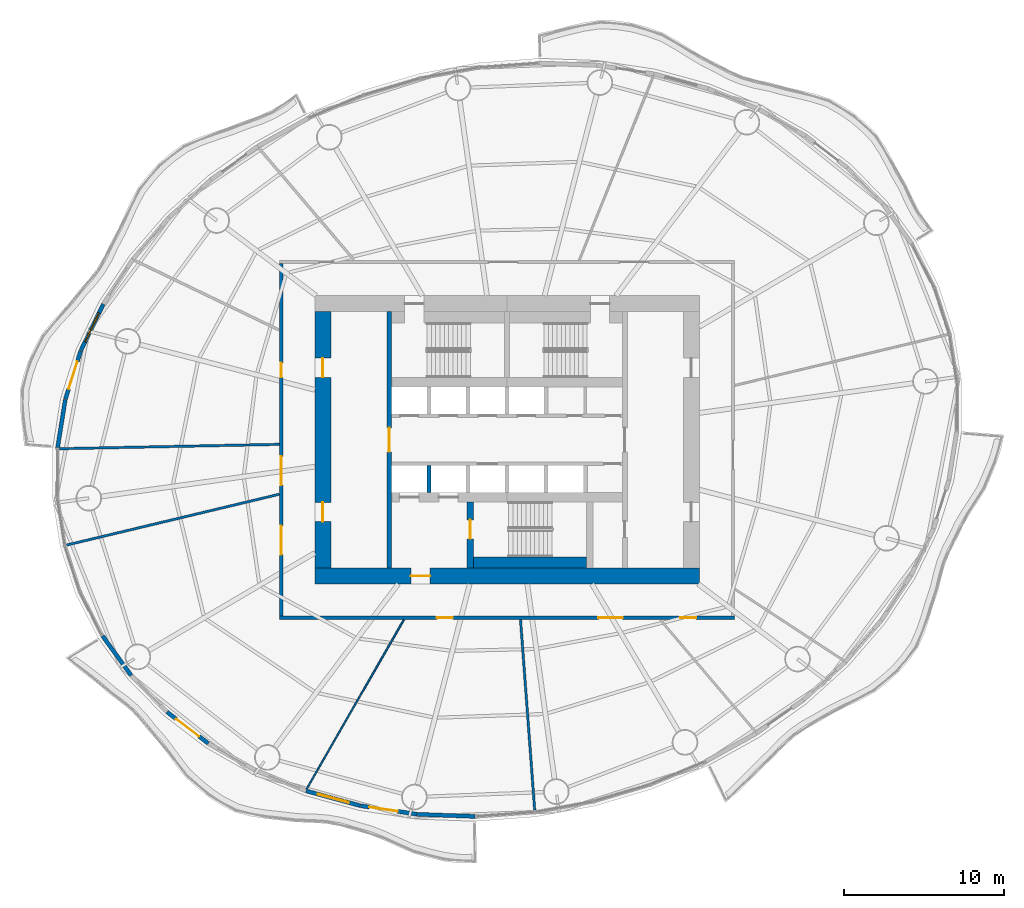
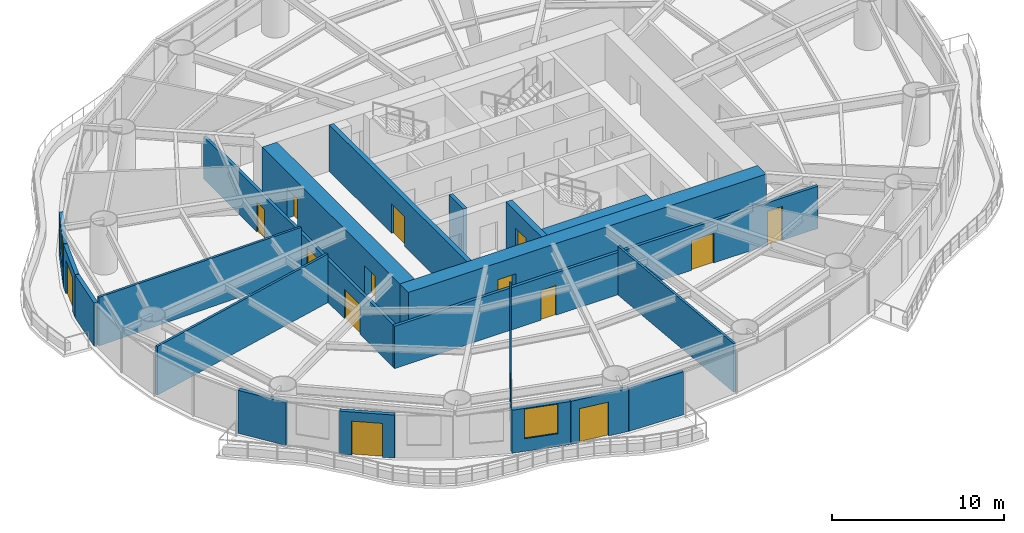
# One storey, part 8 of 16: 20 walls, 14 doors, 2 windows, 16 openings.
"""IFC4 building model written with IfcOpenShell, lengths in metres."""

from ifc_helpers import new_model, si_unit, direction, frame, frame_2d, origin, place, context, subcontext, project, spatial, rectangle, extrude, material, layer, layer_set, type_object, element, fill, save


model = new_model("IFC4")

# Units and contexts
model_context = context("Model", 3, precision=1e-05, world=origin(), true_north=direction((0.0, 1.0)))
body_context = subcontext(model_context, "Body", "Model", "MODEL_VIEW")
ifc_project = project(units=[si_unit("LENGTHUNIT", "METRE"), si_unit("AREAUNIT", "SQUARE_METRE"), si_unit("VOLUMEUNIT", "CUBIC_METRE"), si_unit("PLANEANGLEUNIT", "RADIAN"), si_unit("MASSUNIT", "GRAM", prefix="KILO")], contexts=[model_context])

# Site, building, storey
site_placement = place(None, origin())
site = spatial("IfcSite", under=ifc_project, at=site_placement, CompositionType="ELEMENT")
building_placement = place(site_placement, origin())
building = spatial("IfcBuilding", under=site, at=building_placement, Name="Vermilion Reach Broadcast Tower", CompositionType="ELEMENT")
storey_placement = place(building_placement, frame((0.0, 0.0, 88.60009765625)))
storey = spatial("IfcBuildingStorey", under=building, at=storey_placement, Name="L19", CompositionType="ELEMENT", Elevation=88.60009765625)

# Wall, opening, door
ifc_material_1 = material(Name="Concrete C70", Category="concrete")
ifc_layer_1 = layer(ifc_material_1, 0.300048828125)
ifc_layer_set_1 = layer_set([ifc_layer_1], Name="Core inner wall 300 mm Concrete C70")
wall_type_1 = type_object("IfcWallType", Name="Core inner wall 300 mm Concrete C70", PredefinedType="SHEAR", material=ifc_layer_set_1)
wall_1_placement = place(storey_placement, frame((-13.35009765625, 8.0, 0.0), z_axis=(0.0, 0.0, 1.0), x_axis=(0.0, -1.0, 0.0)))
wall_1 = element("IfcWall", 1, at=wall_1_placement, inside=storey, type_object=wall_type_1, Name="L19 core wall ewW", PredefinedType="SHEAR", context=body_context, shape_type="SweptSolid", body=[
    extrude(rectangle(XDim=16.0, YDim=0.300048828125, at=frame_2d((8.0, 0.0))), origin(), (0.0, 0.0, 1.0), 3.2998046875),
])
opening_1_placement = place(wall_1_placement, frame((7.25, 0.0, 0.0)))
opening_1 = element("IfcOpeningElement", 2, at=opening_1_placement, cuts=wall_1, Name="Opening D04", PredefinedType="OPENING", context=body_context, shape_type="SweptSolid", body=[
    extrude(rectangle(XDim=1.5, YDim=2.10009765625, at=frame_2d((0.75, 1.050048828125))), frame((0.0, 0.159912109375, 0.0), z_axis=(0.0, -1.0, 0.0), x_axis=(1.0, 0.0, 0.0)), (0.0, 0.0, 1.0), 0.320068359375),
])
ifc_material_2 = material(Name="Painted steel fire door", Category="steel")
door_type_1 = type_object("IfcDoorType", Name="Lift lobby door 1500 x 2100", OperationType="DOUBLE_DOOR_SINGLE_SWING", PredefinedType="NOTDEFINED", material=ifc_material_2)
door_1_placement = place(opening_1_placement, origin())
door_1 = element("IfcDoor", 3, at=door_1_placement, inside=storey, type_object=door_type_1, Name="L19 band door BW", OperationType="DOUBLE_DOOR_SINGLE_SWING", OverallHeight=2.10009765625, OverallWidth=1.5, PredefinedType="NOTDEFINED", context=body_context, shape_type="SweptSolid", body=[
    extrude(rectangle(XDim=1.5, YDim=2.10009765625, at=frame_2d((0.75, 1.050048828125))), frame((0.0, 0.02490234375, 0.0), z_axis=(0.0, -1.0, 0.0), x_axis=(1.0, 0.0, 0.0)), (0.0, 0.0, 1.0), 0.050048828125),
])
fill(opening_1, door_1)

ifc_material_3 = material(Name="Concrete C70", Category="concrete")
ifc_layer_2 = layer(ifc_material_3, 0.39990234375)
ifc_layer_set_2 = layer_set([ifc_layer_2], Name="Core inner wall 400 mm Concrete C70")
wall_type_2 = type_object("IfcWallType", Name="Core inner wall 400 mm Concrete C70", PredefinedType="SHEAR", material=ifc_layer_set_2)
wall_2_placement = place(storey_placement, frame((-8.300048828125, -3.8798828125, 0.0), z_axis=(0.0, 0.0, 1.0), x_axis=(0.0, -1.0, 0.0)))
wall_2 = element("IfcWall", 4, at=wall_2_placement, inside=storey, type_object=wall_type_2, Name="L19 core wall wa", PredefinedType="SHEAR", context=body_context, shape_type="SweptSolid", body=[
    extrude(rectangle(XDim=4.1201171875, YDim=0.39990234375, at=frame_2d((2.06005859375, 0.0))), origin(), (0.0, 0.0, 1.0), 3.2998046875),
])
opening_2_placement = place(wall_2_placement, frame((1.110107421875, 0.0, 0.0)))
opening_2 = element("IfcOpeningElement", 5, at=opening_2_placement, cuts=wall_2, Name="Opening D01", PredefinedType="OPENING", context=body_context, shape_type="SweptSolid", body=[
    extrude(rectangle(XDim=1.199951171875, YDim=2.10009765625, at=frame_2d((0.60009765625, 1.050048828125))), frame((0.0, 0.2099609375, 0.0), z_axis=(0.0, -1.0, 0.0), x_axis=(1.0, 0.0, 0.0)), (0.0, 0.0, 1.0), 0.419921875),
])
ifc_material_4 = material(Name="Painted steel fire door", Category="steel")
door_type_2 = type_object("IfcDoorType", Name="Stair door 1200 x 2100", OperationType="DOUBLE_DOOR_SINGLE_SWING", PredefinedType="NOTDEFINED", material=ifc_material_4)
door_2_placement = place(opening_2_placement, origin())
door_2 = element("IfcDoor", 6, at=door_2_placement, inside=storey, type_object=door_type_2, Name="L19 stair door ST3", OperationType="DOUBLE_DOOR_SINGLE_SWING", OverallHeight=2.10009765625, OverallWidth=1.199951171875, PredefinedType="NOTDEFINED", context=body_context, shape_type="SweptSolid", body=[
    extrude(rectangle(XDim=1.199951171875, YDim=2.10009765625, at=frame_2d((0.60009765625, 1.050048828125))), frame((0.0, 0.02490234375, 0.0), z_axis=(0.0, -1.0, 0.0), x_axis=(1.0, 0.0, 0.0)), (0.0, 0.0, 1.0), 0.050048828125),
])
fill(opening_2, door_2)

ifc_material_5 = material(Name="Concrete C70", Category="concrete")
ifc_layer_3 = layer(ifc_material_5, 1.0)
ifc_layer_set_3 = layer_set([ifc_layer_3], Name="Core outer wall 1000 mm Concrete C70")
wall_type_3 = type_object("IfcWallType", Name="Core outer wall 1000 mm Concrete C70", PredefinedType="SHEAR", material=ifc_layer_set_3)
wall_3_placement = place(storey_placement, frame((-18.0, -8.5, 0.0), z_axis=(0.0, 0.0, 1.0), x_axis=(1.0, 0.0, 0.0)))
wall_3 = element("IfcWall", 7, at=wall_3_placement, inside=storey, type_object=wall_type_3, Name="L19 core wall os", PredefinedType="SHEAR", context=body_context, shape_type="SweptSolid", body=[
    extrude(rectangle(XDim=24.0, YDim=1.0, at=frame_2d((12.0, 0.0))), origin(), (0.0, 0.0, 1.0), 3.2998046875),
])
opening_3_placement = place(wall_3_placement, frame((6.0, 0.0, 0.0)))
opening_3 = element("IfcOpeningElement", 8, at=opening_3_placement, cuts=wall_3, Name="Opening D02", PredefinedType="OPENING", context=body_context, shape_type="SweptSolid", body=[
    extrude(rectangle(XDim=1.199951171875, YDim=2.10009765625, at=frame_2d((0.60009765625, 1.050048828125))), frame((0.0, 0.510009765625, 0.0), z_axis=(0.0, -1.0, 0.0), x_axis=(1.0, 0.0, 0.0)), (0.0, 0.0, 1.0), 1.02001953125),
])
ifc_material_6 = material(Name="Painted steel fire door", Category="steel")
door_type_3 = type_object("IfcDoorType", Name="Firefighting lobby door 1200 x 2100", OperationType="DOUBLE_DOOR_SINGLE_SWING", PredefinedType="NOTDEFINED", material=ifc_material_6)
door_3_placement = place(opening_3_placement, origin())
door_3 = element("IfcDoor", 9, at=door_3_placement, inside=storey, type_object=door_type_3, Name="L19 ffdoor door FFL", OperationType="DOUBLE_DOOR_SINGLE_SWING", OverallHeight=2.10009765625, OverallWidth=1.199951171875, PredefinedType="NOTDEFINED", context=body_context, shape_type="SweptSolid", body=[
    extrude(rectangle(XDim=1.199951171875, YDim=2.10009765625, at=frame_2d((0.60009765625, 1.050048828125))), frame((0.0, 0.02490234375, 0.0), z_axis=(0.0, -1.0, 0.0), x_axis=(1.0, 0.0, 0.0)), (0.0, 0.0, 1.0), 0.050048828125),
])
fill(opening_3, door_3)

# Wall, openings, doors
wall_4_placement = place(storey_placement, frame((-17.5, 8.0, 0.0), z_axis=(0.0, 0.0, 1.0), x_axis=(0.0, -1.0, 0.0)))
wall_4 = element("IfcWall", 10, at=wall_4_placement, inside=storey, type_object=wall_type_3, Name="L19 core wall ow", PredefinedType="SHEAR", context=body_context, shape_type="SweptSolid", body=[
    extrude(rectangle(XDim=16.0, YDim=1.0, at=frame_2d((8.0, 0.0))), origin(), (0.0, 0.0, 1.0), 3.2998046875),
])
opening_4_placement = place(wall_4_placement, frame((11.89990234375, 0.0, 0.0)))
opening_4 = element("IfcOpeningElement", 11, at=opening_4_placement, cuts=wall_4, Name="Opening D03", PredefinedType="OPENING", context=body_context, shape_type="SweptSolid", body=[
    extrude(rectangle(XDim=1.199951171875, YDim=2.10009765625, at=frame_2d((0.60009765625, 1.050048828125))), frame((0.0, 0.510009765625, 0.0), z_axis=(0.0, -1.0, 0.0), x_axis=(1.0, 0.0, 0.0)), (0.0, 0.0, 1.0), 1.02001953125),
])
opening_5_placement = place(wall_4_placement, frame((2.89990234375, 0.0, 0.0)))
opening_5 = element("IfcOpeningElement", 12, at=opening_5_placement, cuts=wall_4, Name="Opening D03", PredefinedType="OPENING", context=body_context, shape_type="SweptSolid", body=[
    extrude(rectangle(XDim=1.199951171875, YDim=2.10009765625, at=frame_2d((0.60009765625, 1.050048828125))), frame((0.0, 0.510009765625, 0.0), z_axis=(0.0, -1.0, 0.0), x_axis=(1.0, 0.0, 0.0)), (0.0, 0.0, 1.0), 1.02001953125),
])
ifc_material_7 = material(Name="Painted steel fire door", Category="steel")
door_type_4 = type_object("IfcDoorType", Name="Core lobby door 1200 x 2100", OperationType="DOUBLE_DOOR_SINGLE_SWING", PredefinedType="NOTDEFINED", material=ifc_material_7)
door_4_placement = place(opening_4_placement, origin())
door_4 = element("IfcDoor", 13, at=door_4_placement, inside=storey, type_object=door_type_4, Name="L19 slot door W0", OperationType="DOUBLE_DOOR_SINGLE_SWING", OverallHeight=2.10009765625, OverallWidth=1.199951171875, PredefinedType="NOTDEFINED", context=body_context, shape_type="SweptSolid", body=[
    extrude(rectangle(XDim=1.199951171875, YDim=2.10009765625, at=frame_2d((0.60009765625, 1.050048828125))), frame((0.0, 0.02490234375, 0.0), z_axis=(0.0, -1.0, 0.0), x_axis=(1.0, 0.0, 0.0)), (0.0, 0.0, 1.0), 0.050048828125),
])
fill(opening_4, door_4)
door_5_placement = place(opening_5_placement, origin())
door_5 = element("IfcDoor", 14, at=door_5_placement, inside=storey, type_object=door_type_4, Name="L19 slot door W1", OperationType="DOUBLE_DOOR_SINGLE_SWING", OverallHeight=2.10009765625, OverallWidth=1.199951171875, PredefinedType="NOTDEFINED", context=body_context, shape_type="SweptSolid", body=[
    extrude(rectangle(XDim=1.199951171875, YDim=2.10009765625, at=frame_2d((0.60009765625, 1.050048828125))), frame((0.0, 0.02490234375, 0.0), z_axis=(0.0, -1.0, 0.0), x_axis=(1.0, 0.0, 0.0)), (0.0, 0.0, 1.0), 0.050048828125),
])
fill(opening_5, door_5)

# Walls
ifc_material_8 = material(Name="Concrete C50", Category="concrete")
ifc_layer_4 = layer(ifc_material_8, 0.25)
ifc_layer_set_4 = layer_set([ifc_layer_4], Name="Core shaft wall 250 mm Concrete C50")
wall_type_4 = type_object("IfcWallType", Name="Core shaft wall 250 mm Concrete C50", PredefinedType="SHEAR", material=ifc_layer_set_4)
wall_5_placement = place(storey_placement, frame((-10.88330078125, -1.60009765625, 0.0), z_axis=(0.0, 0.0, 1.0), x_axis=(0.0, -1.0, 0.0)))
element("IfcWall", 15, at=wall_5_placement, inside=storey, type_object=wall_type_4, Name="L19 core wall psS0", PredefinedType="SHEAR", context=body_context, shape_type="SweptSolid", body=[
    extrude(rectangle(XDim=1.679931640625, YDim=0.25, at=frame_2d((0.83984375, 0.0))), origin(), (0.0, 0.0, 1.0), 3.2998046875),
])
ifc_material_9 = material(Name="Concrete C70", Category="concrete")
ifc_layer_5 = layer(ifc_material_9, 0.699951171875)
ifc_layer_set_5 = layer_set([ifc_layer_5], Name="Core stair wall 700 mm Concrete C70")
wall_type_5 = type_object("IfcWallType", Name="Core stair wall 700 mm Concrete C70", PredefinedType="SHEAR", material=ifc_layer_set_5)
wall_6_placement = place(storey_placement, frame((-8.10009765625, -7.64990234375, 0.0), z_axis=(0.0, 0.0, 1.0), x_axis=(1.0, 0.0, 0.0)))
element("IfcWall", 16, at=wall_6_placement, inside=storey, type_object=wall_type_5, Name="L19 core wall l3", PredefinedType="SHEAR", context=body_context, shape_type="SweptSolid", body=[
    extrude(rectangle(XDim=7.050048828125, YDim=0.699951171875, at=frame_2d((3.52490234375, 0.0))), origin(), (0.0, 0.0, 1.0), 3.2998046875),
])
ifc_material_10 = material(Name="Plasterboard on steel stud", Category="steel")
ifc_layer_6 = layer(ifc_material_10, 0.10009765625)
ifc_layer_set_6 = layer_set([ifc_layer_6], Name="Partition 100 steel stud")
wall_type_6 = type_object("IfcWallType", Name="Partition 100 steel stud", PredefinedType="PARTITIONING", material=ifc_layer_set_6)
wall_7_placement = place(storey_placement, frame((-18.51220703125, -21.7919921875, 0.0), z_axis=(0.0, 0.0, 1.0), x_axis=(0.497918029238, 0.867224098004, 0.0)))
element("IfcWall", 17, at=wall_7_placement, inside=storey, type_object=wall_type_6, Name="Partition 19.07", PredefinedType="PARTITIONING", context=body_context, shape_type="SweptSolid", body=[
    extrude(rectangle(XDim=12.18505859375, YDim=0.10009765625, at=frame_2d((6.092529296875, 0.0))), origin(), (0.0, 0.0, 1.0), 3.449951171875),
])
ifc_material_11 = material(Name="Lightweight concrete block, plastered", Category="concrete")
ifc_layer_7 = layer(ifc_material_11, 0.14990234375)
ifc_layer_set_7 = layer_set([ifc_layer_7], Name="Partition 150 lightweight block")
wall_type_7 = type_object("IfcWallType", Name="Partition 150 lightweight block", PredefinedType="PARTITIONING", material=ifc_layer_set_7)
wall_8_placement = place(storey_placement, frame((-33.936767578125, -0.557373046875, 0.0), z_axis=(0.0, 0.0, 1.0), x_axis=(0.999801195259, 0.019939156436, 0.0)))
element("IfcWall", 18, at=wall_8_placement, inside=storey, type_object=wall_type_7, Name="Partition 19.05", PredefinedType="PARTITIONING", context=body_context, shape_type="SweptSolid", body=[
    extrude(rectangle(XDim=13.738037109375, YDim=0.14990234375, at=frame_2d((6.869140625, 0.0))), origin(), (0.0, 0.0, 1.0), 3.449951171875),
])
wall_9_placement = place(storey_placement, frame((-33.483642578125, -6.56787109375, 0.0), z_axis=(0.0, 0.0, 1.0), x_axis=(0.972610744355, 0.232439970669, 0.0)))
element("IfcWall", 19, at=wall_9_placement, inside=storey, type_object=wall_type_7, Name="Partition 19.06", PredefinedType="PARTITIONING", context=body_context, shape_type="SweptSolid", body=[
    extrude(rectangle(XDim=13.6396484375, YDim=0.14990234375, at=frame_2d((6.81982421875, 0.0))), origin(), (0.0, 0.0, 1.0), 3.449951171875),
])
wall_10_placement = place(storey_placement, frame((-4.279052734375, -23.113037109375, 0.0), z_axis=(0.0, 0.0, 1.0), x_axis=(-0.074241475943, 0.997240293635, 0.0)))
element("IfcWall", 20, at=wall_10_placement, inside=storey, type_object=wall_type_7, Name="Partition 19.08", PredefinedType="PARTITIONING", context=body_context, shape_type="SweptSolid", body=[
    extrude(rectangle(XDim=11.9404296875, YDim=0.14990234375, at=frame_2d((5.97021484375, 0.0))), origin(), (0.0, 0.0, 1.0), 3.449951171875),
])

# Wall, opening, window
ifc_material_12 = material(Name="Terracotta rainscreen cladding", Category="masonry")
ifc_layer_8 = layer(ifc_material_12, 0.25)
ifc_layer_set_8 = layer_set([ifc_layer_8], Name="Terracotta rainscreen wall 250")
wall_type_8 = type_object("IfcWallType", Name="Terracotta rainscreen wall 250", PredefinedType="SOLIDWALL", material=ifc_layer_set_8)
wall_11_placement = place(storey_placement, frame((-31.20263671875, 8.467529296875, 0.0), z_axis=(0.0, 0.0, 1.0), x_axis=(-0.434506070547, -0.900668904014, 0.0)))
wall_11 = element("IfcWall", 21, at=wall_11_placement, inside=storey, type_object=wall_type_8, Name="External wall L19 19", PredefinedType="SOLIDWALL", context=body_context, shape_type="SweptSolid", body=[
    extrude(rectangle(XDim=3.2314453125, YDim=0.25, at=frame_2d((1.61572265625, 0.0))), origin(), (0.0, 0.0, 1.0), 3.0498046875),
])
opening_6_placement = place(wall_11_placement, frame((0.61572265625, 0.0, 0.89990234375)))
opening_6 = element("IfcOpeningElement", 22, at=opening_6_placement, cuts=wall_11, Name="Opening W03", PredefinedType="OPENING", context=body_context, shape_type="SweptSolid", body=[
    extrude(rectangle(XDim=2.0, YDim=2.10009765625, at=frame_2d((1.0, 1.050048828125))), frame((0.0, 0.135009765625, 0.0), z_axis=(0.0, -1.0, 0.0), x_axis=(1.0, 0.0, 0.0)), (0.0, 0.0, 1.0), 0.27001953125),
])
ifc_material_13 = material(Name="Low-e laminated clear glass in aluminium frame", Category="aluminium")
window_type = type_object("IfcWindowType", Name="Punched window 2000 x 2100 sill 900", PartitioningType="SINGLE_PANEL", PredefinedType="WINDOW", material=ifc_material_13)
window_1_placement = place(opening_6_placement, origin())
window_1 = element("IfcWindow", 23, at=window_1_placement, inside=storey, type_object=window_type, Name="Window L19 19", OverallHeight=2.10009765625, OverallWidth=2.0, PartitioningType="SINGLE_PANEL", PredefinedType="WINDOW", context=body_context, shape_type="SweptSolid", body=[
    extrude(rectangle(XDim=2.0, YDim=2.10009765625, at=frame_2d((1.0, 1.050048828125))), frame((0.0, 0.030029296875, 0.0), z_axis=(0.0, -1.0, 0.0), x_axis=(1.0, 0.0, 0.0)), (0.0, 0.0, 1.0), 0.06005859375),
])
fill(opening_6, window_1)

# Wall, opening, door
wall_12_placement = place(storey_placement, frame((-32.6162109375, 5.533203125, 0.0), z_axis=(0.0, 0.0, 1.0), x_axis=(-0.302352129866, -0.953196301695, 0.0)))
wall_12 = element("IfcWall", 24, at=wall_12_placement, inside=storey, type_object=wall_type_8, Name="External wall L19 20", PredefinedType="SOLIDWALL", context=body_context, shape_type="SweptSolid", body=[
    extrude(rectangle(XDim=3.1484375, YDim=0.25, at=frame_2d((1.57421875, 0.0))), origin(), (0.0, 0.0, 1.0), 3.0498046875),
])
opening_7_placement = place(wall_12_placement, frame((0.674072265625, 0.0, 0.0)))
opening_7 = element("IfcOpeningElement", 25, at=opening_7_placement, cuts=wall_12, Name="Opening D70", PredefinedType="OPENING", context=body_context, shape_type="SweptSolid", body=[
    extrude(rectangle(XDim=1.800048828125, YDim=2.39990234375, at=frame_2d((0.89990234375, 1.199951171875))), frame((0.0, 0.135009765625, 0.0), z_axis=(0.0, -1.0, 0.0), x_axis=(1.0, 0.0, 0.0)), (0.0, 0.0, 1.0), 0.27001953125),
])
ifc_material_14 = material(Name="Low-e laminated clear glass in aluminium frame", Category="aluminium")
door_type_5 = type_object("IfcDoorType", Name="Balcony sliding door 1800 x 2400", OperationType="DOUBLE_DOOR_SLIDING", PredefinedType="DOOR", material=ifc_material_14)
door_6_placement = place(opening_7_placement, origin())
door_6 = element("IfcDoor", 26, at=door_6_placement, inside=storey, type_object=door_type_5, Name="Balcony door L19 run 05", OperationType="DOUBLE_DOOR_SLIDING", OverallHeight=2.39990234375, OverallWidth=1.800048828125, PredefinedType="DOOR", context=body_context, shape_type="SweptSolid", body=[
    extrude(rectangle(XDim=1.800048828125, YDim=2.39990234375, at=frame_2d((0.89990234375, 1.199951171875))), frame((0.0, 0.02490234375, 0.0), z_axis=(0.0, -1.0, 0.0), x_axis=(1.0, 0.0, 0.0)), (0.0, 0.0, 1.0), 0.050048828125),
])
fill(opening_7, door_6)

# Walls
wall_13_placement = place(storey_placement, frame((-33.57421875, 2.506591796875, 0.0), z_axis=(0.0, 0.0, 1.0), x_axis=(-0.157539068882, -0.987512755247, 0.0)))
element("IfcWall", 27, at=wall_13_placement, inside=storey, type_object=wall_type_8, Name="External wall L19 21", PredefinedType="SOLIDWALL", context=body_context, shape_type="SweptSolid", body=[
    extrude(rectangle(XDim=3.037353515625, YDim=0.25, at=frame_2d((1.5185546875, 0.0))), origin(), (0.0, 0.0, 1.0), 3.0498046875),
])
wall_14_placement = place(storey_placement, frame((-31.24462890625, -12.24365234375, 0.0), z_axis=(0.0, 0.0, 1.0), x_axis=(0.586957033691, -0.809618083173, 0.0)))
element("IfcWall", 28, at=wall_14_placement, inside=storey, type_object=wall_type_8, Name="External wall L19 26", PredefinedType="SOLIDWALL", context=body_context, shape_type="SweptSolid", body=[
    extrude(rectangle(XDim=3.037109375, YDim=0.25, at=frame_2d((1.5185546875, 0.0))), origin(), (0.0, 0.0, 1.0), 3.0498046875),
])

# Wall, opening, door
wall_15_placement = place(storey_placement, frame((-27.219482421875, -16.986328125, 0.0), z_axis=(0.0, 0.0, 1.0), x_axis=(0.794820819691, -0.606844184768, 0.0)))
wall_15 = element("IfcWall", 29, at=wall_15_placement, inside=storey, type_object=wall_type_8, Name="External wall L19 28", PredefinedType="SOLIDWALL", context=body_context, shape_type="SweptSolid", body=[
    extrude(rectangle(XDim=3.2314453125, YDim=0.25, at=frame_2d((1.61572265625, 0.0))), origin(), (0.0, 0.0, 1.0), 3.0498046875),
])
opening_8_placement = place(wall_15_placement, frame((0.716064453125, 0.0, 0.0)))
opening_8 = element("IfcOpeningElement", 30, at=opening_8_placement, cuts=wall_15, Name="Opening D70", PredefinedType="OPENING", context=body_context, shape_type="SweptSolid", body=[
    extrude(rectangle(XDim=1.800048828125, YDim=2.39990234375, at=frame_2d((0.89990234375, 1.199951171875))), frame((0.0, 0.135009765625, 0.0), z_axis=(0.0, -1.0, 0.0), x_axis=(1.0, 0.0, 0.0)), (0.0, 0.0, 1.0), 0.27001953125),
])
door_7_placement = place(opening_8_placement, origin())
door_7 = element("IfcDoor", 31, at=door_7_placement, inside=storey, type_object=door_type_5, Name="Balcony door L19 run 07", OperationType="DOUBLE_DOOR_SLIDING", OverallHeight=2.39990234375, OverallWidth=1.800048828125, PredefinedType="DOOR", context=body_context, shape_type="SweptSolid", body=[
    extrude(rectangle(XDim=1.800048828125, YDim=2.39990234375, at=frame_2d((0.89990234375, 1.199951171875))), frame((0.0, 0.02490234375, 0.0), z_axis=(0.0, -1.0, 0.0), x_axis=(1.0, 0.0, 0.0)), (0.0, 0.0, 1.0), 0.050048828125),
])
fill(opening_8, door_7)

# Wall, opening, window
wall_16_placement = place(storey_placement, frame((-18.541015625, -21.913330078125, 0.0), z_axis=(0.0, 0.0, 1.0), x_axis=(0.964717093179, -0.263288682112, 0.0)))
wall_16 = element("IfcWall", 32, at=wall_16_placement, inside=storey, type_object=wall_type_8, Name="External wall L19 31", PredefinedType="SOLIDWALL", context=body_context, shape_type="SweptSolid", body=[
    extrude(rectangle(XDim=3.49755859375, YDim=0.25, at=frame_2d((1.748779296875, 0.0))), origin(), (0.0, 0.0, 1.0), 3.0498046875),
])
opening_9_placement = place(wall_16_placement, frame((0.748779296875, 0.0, 0.89990234375)))
opening_9 = element("IfcOpeningElement", 33, at=opening_9_placement, cuts=wall_16, Name="Opening W03", PredefinedType="OPENING", context=body_context, shape_type="SweptSolid", body=[
    extrude(rectangle(XDim=2.0, YDim=2.10009765625, at=frame_2d((1.0, 1.050048828125))), frame((0.0, 0.135009765625, 0.0), z_axis=(0.0, -1.0, 0.0), x_axis=(1.0, 0.0, 0.0)), (0.0, 0.0, 1.0), 0.27001953125),
])
window_2_placement = place(opening_9_placement, origin())
window_2 = element("IfcWindow", 34, at=window_2_placement, inside=storey, type_object=window_type, Name="Window L19 31", OverallHeight=2.10009765625, OverallWidth=2.0, PartitioningType="SINGLE_PANEL", PredefinedType="WINDOW", context=body_context, shape_type="SweptSolid", body=[
    extrude(rectangle(XDim=2.0, YDim=2.10009765625, at=frame_2d((1.0, 1.050048828125))), frame((0.0, 0.030029296875, 0.0), z_axis=(0.0, -1.0, 0.0), x_axis=(1.0, 0.0, 0.0)), (0.0, 0.0, 1.0), 0.06005859375),
])
fill(opening_9, window_2)

# Wall, opening, door
wall_17_placement = place(storey_placement, frame((-15.14453125, -22.8388671875, 0.0), z_axis=(0.0, 0.0, 1.0), x_axis=(0.988850976046, -0.148908519475, 0.0)))
wall_17 = element("IfcWall", 35, at=wall_17_placement, inside=storey, type_object=wall_type_8, Name="External wall L19 32", PredefinedType="SOLIDWALL", context=body_context, shape_type="SweptSolid", body=[
    extrude(rectangle(XDim=3.572509765625, YDim=0.25, at=frame_2d((1.7861328125, 0.0))), origin(), (0.0, 0.0, 1.0), 3.0498046875),
])
opening_10_placement = place(wall_17_placement, frame((0.535888671875, 0.0, 0.0)))
opening_10 = element("IfcOpeningElement", 36, at=opening_10_placement, cuts=wall_17, Name="Opening D70", PredefinedType="OPENING", context=body_context, shape_type="SweptSolid", body=[
    extrude(rectangle(XDim=1.800048828125, YDim=2.39990234375, at=frame_2d((0.89990234375, 1.199951171875))), frame((0.0, 0.135009765625, 0.0), z_axis=(0.0, -1.0, 0.0), x_axis=(1.0, 0.0, 0.0)), (0.0, 0.0, 1.0), 0.27001953125),
])
door_8_placement = place(opening_10_placement, origin())
door_8 = element("IfcDoor", 37, at=door_8_placement, inside=storey, type_object=door_type_5, Name="Balcony door L19 run 08", OperationType="DOUBLE_DOOR_SLIDING", OverallHeight=2.39990234375, OverallWidth=1.800048828125, PredefinedType="DOOR", context=body_context, shape_type="SweptSolid", body=[
    extrude(rectangle(XDim=1.800048828125, YDim=2.39990234375, at=frame_2d((0.89990234375, 1.199951171875))), frame((0.0, 0.02490234375, 0.0), z_axis=(0.0, -1.0, 0.0), x_axis=(1.0, 0.0, 0.0)), (0.0, 0.0, 1.0), 0.050048828125),
])
fill(opening_10, door_8)

# Wall
wall_18_placement = place(storey_placement, frame((-11.58984375, -23.372802734375, 0.0), z_axis=(0.0, 0.0, 1.0), x_axis=(0.999324862533, -0.036739884652, 0.0)))
element("IfcWall", 38, at=wall_18_placement, inside=storey, type_object=wall_type_8, Name="External wall L19 33", PredefinedType="SOLIDWALL", context=body_context, shape_type="SweptSolid", body=[
    extrude(rectangle(XDim=3.58837890625, YDim=0.25, at=frame_2d((1.794189453125, 0.0))), origin(), (0.0, 0.0, 1.0), 3.0498046875),
])

# Wall, openings, doors
ifc_material_15 = material(Name="Fire-rated gypsum board partition")
ifc_layer_9 = layer(ifc_material_15, 0.199951171875)
ifc_layer_set_9 = layer_set([ifc_layer_9], Name="Under girder: Corridor wall 200 fire-rated")
wall_type_9 = type_object("IfcWallType", Name="Under girder: Corridor wall 200 fire-rated", PredefinedType="PARTITIONING", material=ifc_layer_set_9)
wall_19_placement = place(storey_placement, frame((8.199951171875, -11.10009765625, 0.0), z_axis=(0.0, 0.0, 1.0), x_axis=(-1.0, 0.0, 0.0)))
wall_19 = element("IfcWall", 39, at=wall_19_placement, inside=storey, type_object=wall_type_9, Name="Corridor wall 19.S", PredefinedType="PARTITIONING", context=body_context, shape_type="SweptSolid", body=[
    extrude(rectangle(XDim=28.39990234375, YDim=0.199951171875, at=frame_2d((14.199951171875, 0.0))), origin(), (0.0, 0.0, 1.0), 3.0),
])
opening_11_placement = place(wall_19_placement, frame((17.581298828125, 0.0, 0.0)))
opening_11 = element("IfcOpeningElement", 40, at=opening_11_placement, cuts=wall_19, Name="Opening D20", PredefinedType="OPENING", context=body_context, shape_type="SweptSolid", body=[
    extrude(rectangle(XDim=1.0, YDim=2.10009765625, at=frame_2d((0.5, 1.050048828125))), frame((0.0, 0.10986328125, 0.0), z_axis=(0.0, -1.0, 0.0), x_axis=(1.0, 0.0, 0.0)), (0.0, 0.0, 1.0), 0.219970703125),
])
opening_12_placement = place(wall_19_placement, frame((6.997802734375, 0.0, 0.0)))
opening_12 = element("IfcOpeningElement", 41, at=opening_12_placement, cuts=wall_19, Name="Opening D24", PredefinedType="OPENING", context=body_context, shape_type="SweptSolid", body=[
    extrude(rectangle(XDim=1.5, YDim=2.10009765625, at=frame_2d((0.75, 1.050048828125))), frame((0.0, 0.10986328125, 0.0), z_axis=(0.0, -1.0, 0.0), x_axis=(1.0, 0.0, 0.0)), (0.0, 0.0, 1.0), 0.219970703125),
])
opening_13_placement = place(wall_19_placement, frame((2.403076171875, 0.0, 0.0)))
opening_13 = element("IfcOpeningElement", 42, at=opening_13_placement, cuts=wall_19, Name="Opening D23", PredefinedType="OPENING", context=body_context, shape_type="SweptSolid", body=[
    extrude(rectangle(XDim=1.0, YDim=2.39990234375, at=frame_2d((0.5, 1.199951171875))), frame((0.0, 0.10986328125, 0.0), z_axis=(0.0, -1.0, 0.0), x_axis=(1.0, 0.0, 0.0)), (0.0, 0.0, 1.0), 0.219970703125),
])
ifc_material_16 = material(Name="Timber door leaf", Category="wood")
door_type_6 = type_object("IfcDoorType", Name="Door pair 1500x2100", OperationType="NOTDEFINED", PredefinedType="DOOR", material=ifc_material_16)
door_9_placement = place(opening_12_placement, origin())
door_9 = element("IfcDoor", 43, at=door_9_placement, inside=storey, type_object=door_type_6, Name="Door 19.08", OperationType="DOUBLE_DOOR_SINGLE_SWING", OverallHeight=2.10009765625, OverallWidth=1.5, PredefinedType="DOOR", context=body_context, shape_type="SweptSolid", body=[
    extrude(rectangle(XDim=1.5, YDim=2.10009765625, at=frame_2d((0.75, 1.050048828125))), frame((0.0, 0.02490234375, 0.0), z_axis=(0.0, -1.0, 0.0), x_axis=(1.0, 0.0, 0.0)), (0.0, 0.0, 1.0), 0.050048828125),
])
fill(opening_12, door_9)
ifc_material_17 = material(Name="Timber door leaf", Category="wood")
door_type_7 = type_object("IfcDoorType", Name="Door single 1000x2100", OperationType="NOTDEFINED", PredefinedType="DOOR", material=ifc_material_17)
door_10_placement = place(opening_11_placement, origin())
door_10 = element("IfcDoor", 44, at=door_10_placement, inside=storey, type_object=door_type_7, Name="Door 19.07", OperationType="SINGLE_SWING_RIGHT", OverallHeight=2.10009765625, OverallWidth=1.0, PredefinedType="DOOR", context=body_context, shape_type="SweptSolid", body=[
    extrude(rectangle(XDim=1.0, YDim=2.10009765625, at=frame_2d((0.5, 1.050048828125))), frame((0.0, 0.02490234375, 0.0), z_axis=(0.0, -1.0, 0.0), x_axis=(1.0, 0.0, 0.0)), (0.0, 0.0, 1.0), 0.050048828125),
])
fill(opening_11, door_10)
ifc_material_18 = material(Name="Veneered timber door leaf", Category="wood")
door_type_8 = type_object("IfcDoorType", Name="Door single 1000x2400", OperationType="NOTDEFINED", PredefinedType="DOOR", material=ifc_material_18)
door_11_placement = place(opening_13_placement, origin())
door_11 = element("IfcDoor", 45, at=door_11_placement, inside=storey, type_object=door_type_8, Name="Door 19.09", OperationType="SINGLE_SWING_RIGHT", OverallHeight=2.39990234375, OverallWidth=1.0, PredefinedType="DOOR", context=body_context, shape_type="SweptSolid", body=[
    extrude(rectangle(XDim=1.0, YDim=2.39990234375, at=frame_2d((0.5, 1.199951171875))), frame((0.0, 0.02490234375, 0.0), z_axis=(0.0, -1.0, 0.0), x_axis=(1.0, 0.0, 0.0)), (0.0, 0.0, 1.0), 0.050048828125),
])
fill(opening_13, door_11)

wall_20_placement = place(storey_placement, frame((-20.10009765625, -11.0, 0.0), z_axis=(0.0, 0.0, 1.0), x_axis=(0.0, 1.0, 0.0)))
wall_20 = element("IfcWall", 46, at=wall_20_placement, inside=storey, type_object=wall_type_9, Name="Corridor wall 19.W", PredefinedType="PARTITIONING", context=body_context, shape_type="SweptSolid", body=[
    extrude(rectangle(XDim=22.0, YDim=0.199951171875, at=frame_2d((11.0, 0.0))), origin(), (0.0, 0.0, 1.0), 3.0),
])
opening_14_placement = place(wall_20_placement, frame((14.900390625, 0.0, 0.0)))
opening_14 = element("IfcOpeningElement", 47, at=opening_14_placement, cuts=wall_20, Name="Opening D22", PredefinedType="OPENING", context=body_context, shape_type="SweptSolid", body=[
    extrude(rectangle(XDim=0.89990234375, YDim=2.10009765625, at=frame_2d((0.449951171875, 1.050048828125))), frame((0.0, 0.10986328125, 0.0), z_axis=(0.0, -1.0, 0.0), x_axis=(1.0, 0.0, 0.0)), (0.0, 0.0, 1.0), 0.219970703125),
])
opening_15_placement = place(wall_20_placement, frame((8.169677734375, 0.0, 0.0)))
opening_15 = element("IfcOpeningElement", 48, at=opening_15_placement, cuts=wall_20, Name="Opening D27", PredefinedType="OPENING", context=body_context, shape_type="SweptSolid", body=[
    extrude(rectangle(XDim=1.800048828125, YDim=2.39990234375, at=frame_2d((0.89990234375, 1.199951171875))), frame((0.0, 0.10986328125, 0.0), z_axis=(0.0, -1.0, 0.0), x_axis=(1.0, 0.0, 0.0)), (0.0, 0.0, 1.0), 0.219970703125),
])
opening_16_placement = place(wall_20_placement, frame((3.834716796875, 0.0, 0.0)))
opening_16 = element("IfcOpeningElement", 49, at=opening_16_placement, cuts=wall_20, Name="Opening D21", PredefinedType="OPENING", context=body_context, shape_type="SweptSolid", body=[
    extrude(rectangle(XDim=1.800048828125, YDim=2.10009765625, at=frame_2d((0.89990234375, 1.050048828125))), frame((0.0, 0.10986328125, 0.0), z_axis=(0.0, -1.0, 0.0), x_axis=(1.0, 0.0, 0.0)), (0.0, 0.0, 1.0), 0.219970703125),
])
ifc_material_19 = material(Name="Timber door leaf", Category="wood")
door_type_9 = type_object("IfcDoorType", Name="Door pair 1800x2100", OperationType="NOTDEFINED", PredefinedType="DOOR", material=ifc_material_19)
door_12_placement = place(opening_16_placement, origin())
door_12 = element("IfcDoor", 50, at=door_12_placement, inside=storey, type_object=door_type_9, Name="Door 19.06", OperationType="DOUBLE_DOOR_SINGLE_SWING", OverallHeight=2.10009765625, OverallWidth=1.800048828125, PredefinedType="DOOR", context=body_context, shape_type="SweptSolid", body=[
    extrude(rectangle(XDim=1.800048828125, YDim=2.10009765625, at=frame_2d((0.89990234375, 1.050048828125))), frame((0.0, 0.02490234375, 0.0), z_axis=(0.0, -1.0, 0.0), x_axis=(1.0, 0.0, 0.0)), (0.0, 0.0, 1.0), 0.050048828125),
])
fill(opening_16, door_12)
ifc_material_20 = material(Name="Acoustic timber door leaf", Category="wood")
door_type_10 = type_object("IfcDoorType", Name="Door pair 1800x2400", OperationType="NOTDEFINED", PredefinedType="DOOR", material=ifc_material_20)
door_13_placement = place(opening_15_placement, origin())
door_13 = element("IfcDoor", 51, at=door_13_placement, inside=storey, type_object=door_type_10, Name="Door 19.05", OperationType="DOUBLE_DOOR_SINGLE_SWING", OverallHeight=2.39990234375, OverallWidth=1.800048828125, PredefinedType="DOOR", context=body_context, shape_type="SweptSolid", body=[
    extrude(rectangle(XDim=1.800048828125, YDim=2.39990234375, at=frame_2d((0.89990234375, 1.199951171875))), frame((0.0, 0.02490234375, 0.0), z_axis=(0.0, -1.0, 0.0), x_axis=(1.0, 0.0, 0.0)), (0.0, 0.0, 1.0), 0.050048828125),
])
fill(opening_15, door_13)
ifc_material_21 = material(Name="Timber door leaf", Category="wood")
door_type_11 = type_object("IfcDoorType", Name="Door single 900x2100", OperationType="NOTDEFINED", PredefinedType="DOOR", material=ifc_material_21)
door_14_placement = place(opening_14_placement, origin())
door_14 = element("IfcDoor", 52, at=door_14_placement, inside=storey, type_object=door_type_11, Name="Door 19.04", OperationType="SINGLE_SWING_RIGHT", OverallHeight=2.10009765625, OverallWidth=0.89990234375, PredefinedType="DOOR", context=body_context, shape_type="SweptSolid", body=[
    extrude(rectangle(XDim=0.89990234375, YDim=2.10009765625, at=frame_2d((0.449951171875, 1.050048828125))), frame((0.0, 0.02490234375, 0.0), z_axis=(0.0, -1.0, 0.0), x_axis=(1.0, 0.0, 0.0)), (0.0, 0.0, 1.0), 0.050048828125),
])
fill(opening_14, door_14)

save(model, "model.ifc")
